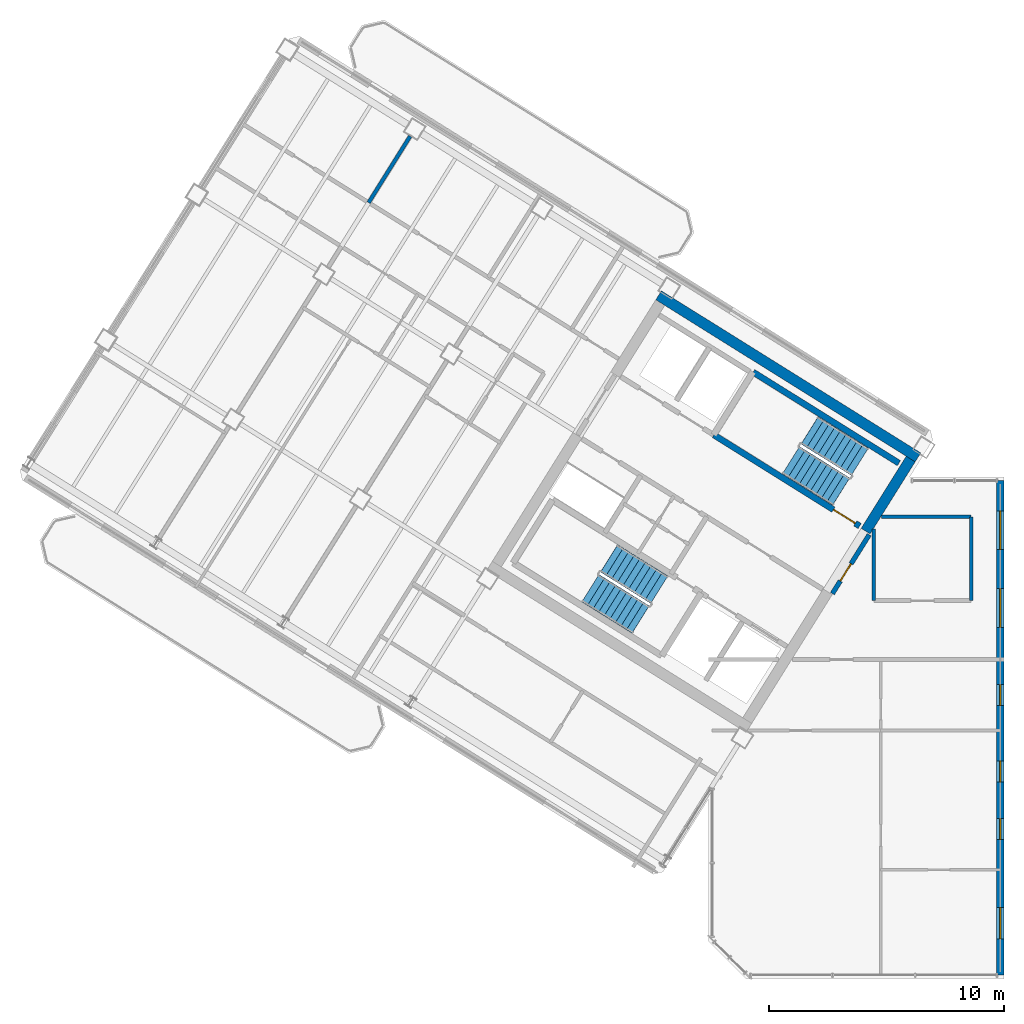
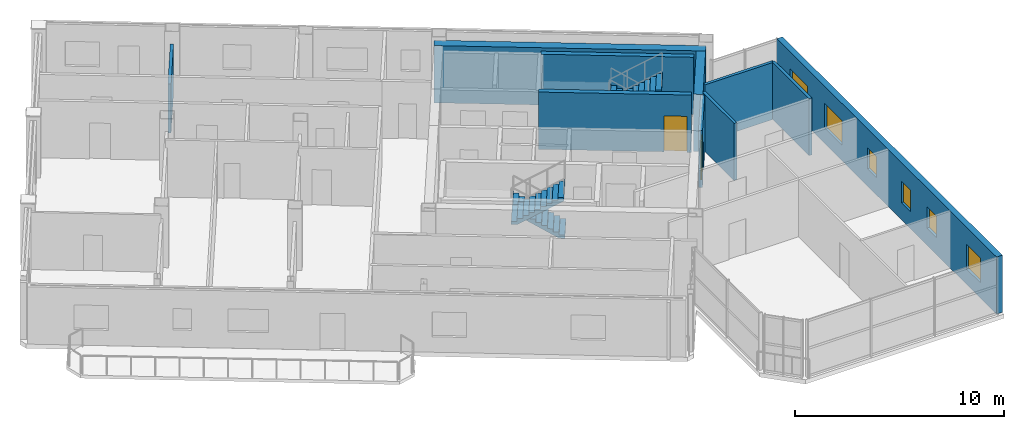
# One storey, part 11 of 17: 10 walls, 6 windows, 4 stair flights, 2 doors, 8 openings, 2 elements without a shape of their own.
"""IFC4 building model written with IfcOpenShell, lengths in metres."""

from ifc_helpers import new_model, si_unit, direction, frame, frame_2d, origin, place, context, subcontext, project, spatial, polyline, rectangle, outline, extrude, source, transform, mapped, material, layer, layer_set, type_object, element, fill, aggregate, save


model = new_model("IFC4")

# Units and contexts
model_context = context("Model", 3, precision=1e-05, world=origin(), true_north=direction((0.0, 1.0)))
body_context = subcontext(model_context, "Body", "Model", "MODEL_VIEW")
ifc_project = project(units=[si_unit("LENGTHUNIT", "METRE"), si_unit("AREAUNIT", "SQUARE_METRE"), si_unit("VOLUMEUNIT", "CUBIC_METRE"), si_unit("PLANEANGLEUNIT", "RADIAN"), si_unit("MASSUNIT", "GRAM", prefix="KILO")], contexts=[model_context])

# Site, building, storey
site_placement = place(None, origin())
site = spatial("IfcSite", under=ifc_project, at=site_placement, CompositionType="ELEMENT")
building_placement = place(site_placement, origin())
building = spatial("IfcBuilding", under=site, at=building_placement, Name="Tlacorven Tower", CompositionType="ELEMENT")
storey_placement = place(building_placement, frame((0.0, 0.0, 277.199951171875)))
storey = spatial("IfcBuildingStorey", under=building, at=storey_placement, Name="L70", CompositionType="ELEMENT", Elevation=277.199951171875)

# Walls
ifc_material_1 = material(Name="Concrete C50/60", Category="concrete")
ifc_layer_1 = layer(ifc_material_1, 0.449951171875)
ifc_layer_set_1 = layer_set([ifc_layer_1], Name="Concrete C50/60")
wall_type_1 = type_object("IfcWallType", Name="WL-COR-450", PredefinedType="SHEAR", material=ifc_layer_set_1)
wall_1_placement = place(storey_placement, frame((40.53076171875, 24.036376953125, 0.0), z_axis=(0.0, 0.0, 1.0), x_axis=(-0.848048787466, 0.529918157905, 0.0)))
element("IfcWall", 1, at=wall_1_placement, inside=storey, type_object=wall_type_1, Name="L70 W core shear wall S1", PredefinedType="SHEAR", context=body_context, shape_type="SweptSolid", body=[
    extrude(rectangle(XDim=13.0400390625, YDim=0.449951171875, at=frame_2d((6.52001953125, 0.0))), origin(), (0.0, 0.0, 1.0), 3.35009765625),
])
wall_2_placement = place(storey_placement, frame((40.220703125, 23.96484375, 0.0), z_axis=(0.0, 0.0, 1.0), x_axis=(-0.529902075036, -0.848058836916, 0.0)))
element("IfcWall", 2, at=wall_2_placement, inside=storey, type_object=wall_type_1, Name="L70 W core end wall E1.1", PredefinedType="SHEAR", context=body_context, shape_type="SweptSolid", body=[
    extrude(rectangle(XDim=3.625, YDim=0.449951171875, at=frame_2d((1.8125, 0.0))), origin(), (0.0, 0.0, 1.0), 3.35009765625),
])
ifc_material_2 = material(Name="Gypsum plasterboard acoustic partition", Category="gypsum")
ifc_layer_2 = layer(ifc_material_2, 0.159912109375)
ifc_layer_set_2 = layer_set([ifc_layer_2], Name="Gypsum plasterboard acoustic partition")
wall_type_2 = type_object("IfcWallType", Name="WL-DEM-160", PredefinedType="PARTITIONING", material=ifc_layer_set_2)
wall_3_placement = place(storey_placement, frame((18.878662109375, 37.72900390625, 0.0), z_axis=(0.0, 0.0, 1.0), x_axis=(-0.529952920244, -0.848027064618, 0.0)))
element("IfcWall", 3, at=wall_3_placement, inside=storey, type_object=wall_type_2, Name="L70 partition 38", PredefinedType="PARTITIONING", context=body_context, shape_type="SweptSolid", body=[
    extrude(rectangle(XDim=3.338134765625, YDim=0.159912109375, at=frame_2d((1.6689453125, 0.0))), origin(), (0.0, 0.0, 1.0), 2.875),
])
wall_4_placement = place(storey_placement, frame((38.64990234375, 17.929931640625, 0.0), z_axis=(0.0, 0.0, 1.0), x_axis=(0.0, 1.0, 0.0)))
element("IfcWall", 4, at=wall_4_placement, inside=storey, type_object=wall_type_2, Name="L70 partition 46", PredefinedType="PARTITIONING", context=body_context, shape_type="SweptSolid", body=[
    extrude(rectangle(XDim=3.045654296875, YDim=0.159912109375, at=frame_2d((1.52294921875, 0.0))), origin(), (0.0, 0.0, 1.0), 3.340087890625),
])
wall_5_placement = place(storey_placement, frame((42.800048828125, 17.929931640625, 0.0), z_axis=(0.0, 0.0, 1.0), x_axis=(0.0, 1.0, 0.0)))
element("IfcWall", 5, at=wall_5_placement, inside=storey, type_object=wall_type_2, Name="L70 partition 47", PredefinedType="PARTITIONING", context=body_context, shape_type="SweptSolid", body=[
    extrude(rectangle(XDim=3.570068359375, YDim=0.159912109375, at=frame_2d((1.78515625, 0.0))), origin(), (0.0, 0.0, 1.0), 3.340087890625),
])
wall_6_placement = place(storey_placement, frame((38.9775390625, 21.5, 0.0), z_axis=(0.0, 0.0, 1.0), x_axis=(1.0, 0.0, 0.0)))
element("IfcWall", 6, at=wall_6_placement, inside=storey, type_object=wall_type_2, Name="L70 partition 48", PredefinedType="PARTITIONING", context=body_context, shape_type="SweptSolid", body=[
    extrude(rectangle(XDim=3.822509765625, YDim=0.159912109375, at=frame_2d((1.9111328125, 0.0))), origin(), (0.0, 0.0, 1.0), 3.340087890625),
])

# Wall, openings, windows
ifc_material_3 = material(Name="Precast concrete C45/55", Category="concrete")
ifc_layer_3 = layer(ifc_material_3, 0.320068359375)
ifc_layer_set_3 = layer_set([ifc_layer_3], Name="Precast concrete C45/55")
wall_type_3 = type_object("IfcWallType", Name="WL-EXT-320", PredefinedType="STANDARD", material=ifc_layer_set_3)
wall_7_placement = place(storey_placement, frame((44.0400390625, 23.0400390625, 0.0), z_axis=(0.0, 0.0, 1.0), x_axis=(0.0, -1.0, 0.0)))
wall_7 = element("IfcWall", 7, at=wall_7_placement, inside=storey, type_object=wall_type_3, Name="L70 Masonry-Frame Recessed Facade Wall 1", PredefinedType="STANDARD", context=body_context, shape_type="SweptSolid", body=[
    extrude(rectangle(XDim=21.080078125, YDim=0.320068359375, at=frame_2d((10.5400390625, 0.0))), origin(), (0.0, 0.0, 1.0), 3.35009765625),
])
opening_1_placement = place(wall_7_placement, frame((1.284912109375, 0.0, 0.89990234375)))
opening_1 = element("IfcOpeningElement", 8, at=opening_1_placement, cuts=wall_7, Name="Opening WN07", PredefinedType="OPENING", context=body_context, shape_type="SweptSolid", body=[
    extrude(rectangle(XDim=1.64990234375, YDim=1.449951171875, at=frame_2d((0.824951171875, 0.72509765625))), frame((0.0, 0.169921875, 0.0), z_axis=(0.0, -1.0, 0.0), x_axis=(1.0, 0.0, 0.0)), (0.0, 0.0, 1.0), 0.340087890625),
])
opening_2_placement = place(wall_7_placement, frame((4.60498046875, 0.0, 0.89990234375)))
opening_2 = element("IfcOpeningElement", 9, at=opening_2_placement, cuts=wall_7, Name="Opening WN07", PredefinedType="OPENING", context=body_context, shape_type="SweptSolid", body=[
    extrude(rectangle(XDim=1.64990234375, YDim=1.449951171875, at=frame_2d((0.824951171875, 0.72509765625))), frame((0.0, 0.169921875, 0.0), z_axis=(0.0, -1.0, 0.0), x_axis=(1.0, 0.0, 0.0)), (0.0, 0.0, 1.0), 0.340087890625),
])
opening_3_placement = place(wall_7_placement, frame((8.68994140625, 0.0, 1.0)))
opening_3 = element("IfcOpeningElement", 10, at=opening_3_placement, cuts=wall_7, Name="Opening WN05", PredefinedType="OPENING", context=body_context, shape_type="SweptSolid", body=[
    extrude(rectangle(XDim=0.89990234375, YDim=1.25, at=frame_2d((0.449951171875, 0.625))), frame((0.0, 0.169921875, 0.0), z_axis=(0.0, -1.0, 0.0), x_axis=(1.0, 0.0, 0.0)), (0.0, 0.0, 1.0), 0.340087890625),
])
opening_4_placement = place(wall_7_placement, frame((11.94873046875, 0.0, 1.0)))
opening_4 = element("IfcOpeningElement", 11, at=opening_4_placement, cuts=wall_7, Name="Opening WN05", PredefinedType="OPENING", context=body_context, shape_type="SweptSolid", body=[
    extrude(rectangle(XDim=0.89990234375, YDim=1.25, at=frame_2d((0.449951171875, 0.625))), frame((0.0, 0.169921875, 0.0), z_axis=(0.0, -1.0, 0.0), x_axis=(1.0, 0.0, 0.0)), (0.0, 0.0, 1.0), 0.340087890625),
])
opening_5_placement = place(wall_7_placement, frame((14.40625, 0.0, 1.0)))
opening_5 = element("IfcOpeningElement", 12, at=opening_5_placement, cuts=wall_7, Name="Opening WN05", PredefinedType="OPENING", context=body_context, shape_type="SweptSolid", body=[
    extrude(rectangle(XDim=0.89990234375, YDim=1.25, at=frame_2d((0.449951171875, 0.625))), frame((0.0, 0.169921875, 0.0), z_axis=(0.0, -1.0, 0.0), x_axis=(1.0, 0.0, 0.0)), (0.0, 0.0, 1.0), 0.340087890625),
])
opening_6_placement = place(wall_7_placement, frame((18.1875, 0.0, 0.89990234375)))
opening_6 = element("IfcOpeningElement", 13, at=opening_6_placement, cuts=wall_7, Name="Opening WN08", PredefinedType="OPENING", context=body_context, shape_type="SweptSolid", body=[
    extrude(rectangle(XDim=1.35009765625, YDim=1.449951171875, at=frame_2d((0.675048828125, 0.72509765625))), frame((0.0, 0.169921875, 0.0), z_axis=(0.0, -1.0, 0.0), x_axis=(1.0, 0.0, 0.0)), (0.0, 0.0, 1.0), 0.340087890625),
])
ifc_material_4 = material(Name="Dark solar low-E double glazing in anodised aluminium frame", Category="aluminium")
window_type_1 = type_object("IfcWindowType", Name="WN-APT-0900X1350", PartitioningType="SINGLE_PANEL", PredefinedType="WINDOW", material=ifc_material_4)
shared_shape_1 = source(origin(), body_context, "Body", "SweptSolid", [
    extrude(rectangle(XDim=0.89990234375, YDim=1.25, at=frame_2d((0.449951171875, 0.625))), frame((0.0, 0.030029296875, 0.0), z_axis=(0.0, -1.0, 0.0), x_axis=(1.0, 0.0, 0.0)), (0.0, 0.0, 1.0), 0.06005859375),
])
window_1_placement = place(opening_3_placement, origin())
window_1 = element("IfcWindow", 14, at=window_1_placement, inside=storey, type_object=window_type_1, Name="L70 Recessed Masonry-Frame Window L70-01.3", OverallHeight=1.25, OverallWidth=0.89990234375, PartitioningType="SINGLE_PANEL", PredefinedType="WINDOW", context=body_context, shape_type="MappedRepresentation", body=[
    mapped(shared_shape_1, transform((0.0, 0.0, 0.0), scale=1.0)),
])
fill(opening_3, window_1)
window_2_placement = place(opening_4_placement, origin())
window_2 = element("IfcWindow", 15, at=window_2_placement, inside=storey, type_object=window_type_1, Name="L70 Recessed Masonry-Frame Window L70-01.4", OverallHeight=1.25, OverallWidth=0.89990234375, PartitioningType="SINGLE_PANEL", PredefinedType="WINDOW", context=body_context, shape_type="MappedRepresentation", body=[
    mapped(shared_shape_1, transform((0.0, 0.0, 0.0), scale=1.0)),
])
fill(opening_4, window_2)
window_3_placement = place(opening_5_placement, origin())
window_3 = element("IfcWindow", 16, at=window_3_placement, inside=storey, type_object=window_type_1, Name="L70 Recessed Masonry-Frame Window L70-01.5", OverallHeight=1.25, OverallWidth=0.89990234375, PartitioningType="SINGLE_PANEL", PredefinedType="WINDOW", context=body_context, shape_type="MappedRepresentation", body=[
    mapped(shared_shape_1, transform((0.0, 0.0, 0.0), scale=1.0)),
])
fill(opening_5, window_3)
window_type_2 = type_object("IfcWindowType", Name="WN-APT-1650X1600", PartitioningType="SINGLE_PANEL", PredefinedType="WINDOW", material=ifc_material_4)
shared_shape_2 = source(origin(), body_context, "Body", "SweptSolid", [
    extrude(rectangle(XDim=1.64990234375, YDim=1.449951171875, at=frame_2d((0.824951171875, 0.72509765625))), frame((0.0, 0.030029296875, 0.0), z_axis=(0.0, -1.0, 0.0), x_axis=(1.0, 0.0, 0.0)), (0.0, 0.0, 1.0), 0.06005859375),
])
window_4_placement = place(opening_1_placement, origin())
window_4 = element("IfcWindow", 17, at=window_4_placement, inside=storey, type_object=window_type_2, Name="L70 Recessed Masonry-Frame Window L70-01.1", OverallHeight=1.449951171875, OverallWidth=1.64990234375, PartitioningType="SINGLE_PANEL", PredefinedType="WINDOW", context=body_context, shape_type="MappedRepresentation", body=[
    mapped(shared_shape_2, transform((0.0, 0.0, 0.0), scale=1.0)),
])
fill(opening_1, window_4)
window_5_placement = place(opening_2_placement, origin())
window_5 = element("IfcWindow", 18, at=window_5_placement, inside=storey, type_object=window_type_2, Name="L70 Recessed Masonry-Frame Window L70-01.2", OverallHeight=1.449951171875, OverallWidth=1.64990234375, PartitioningType="SINGLE_PANEL", PredefinedType="WINDOW", context=body_context, shape_type="MappedRepresentation", body=[
    mapped(shared_shape_2, transform((0.0, 0.0, 0.0), scale=1.0)),
])
fill(opening_2, window_5)
window_type_3 = type_object("IfcWindowType", Name="WN-APT-1350X1550", PartitioningType="SINGLE_PANEL", PredefinedType="WINDOW", material=ifc_material_4)
shared_shape_3 = source(origin(), body_context, "Body", "SweptSolid", [
    extrude(rectangle(XDim=1.35009765625, YDim=1.449951171875, at=frame_2d((0.675048828125, 0.72509765625))), frame((0.0, 0.030029296875, 0.0), z_axis=(0.0, -1.0, 0.0), x_axis=(1.0, 0.0, 0.0)), (0.0, 0.0, 1.0), 0.06005859375),
])
window_6_placement = place(opening_6_placement, origin())
window_6 = element("IfcWindow", 19, at=window_6_placement, inside=storey, type_object=window_type_3, Name="L70 Recessed Masonry-Frame Window L70-01.6", OverallHeight=1.449951171875, OverallWidth=1.35009765625, PartitioningType="SINGLE_PANEL", PredefinedType="WINDOW", context=body_context, shape_type="MappedRepresentation", body=[
    mapped(shared_shape_3, transform((0.0, 0.0, 0.0), scale=1.0)),
])
fill(opening_6, window_6)

# Wall, opening, door
ifc_material_5 = material(Name="Concrete C40/50", Category="concrete")
ifc_layer_4 = layer(ifc_material_5, 0.199951171875)
ifc_layer_set_4 = layer_set([ifc_layer_4], Name="Concrete C40/50")
wall_type_4 = type_object("IfcWallType", Name="WL-SHF-200", PredefinedType="STANDARD", material=ifc_layer_set_4)
wall_8_placement = place(storey_placement, frame((38.451416015625, 20.737060546875, 0.0), z_axis=(0.0, 0.0, 1.0), x_axis=(-0.529924799939, -0.848044637038, 0.0)))
wall_8 = element("IfcWall", 20, at=wall_8_placement, inside=storey, type_object=wall_type_4, Name="L70 partition 43", PredefinedType="STANDARD", context=body_context, shape_type="SweptSolid", body=[
    extrude(rectangle(XDim=2.9599609375, YDim=0.199951171875, at=frame_2d((1.47998046875, 0.0))), origin(), (0.0, 0.0, 1.0), 3.340087890625),
])
opening_7_placement = place(wall_8_placement, frame((1.4599609375, 0.0, 0.0)))
opening_7 = element("IfcOpeningElement", 21, at=opening_7_placement, cuts=wall_8, Name="Opening D19", PredefinedType="OPENING", context=body_context, shape_type="SweptSolid", body=[
    extrude(rectangle(XDim=0.860107421875, YDim=2.050048828125, at=frame_2d((0.43017578125, 1.02490234375))), frame((0.0, 0.10986328125, 0.0), z_axis=(0.0, -1.0, 0.0), x_axis=(1.0, 0.0, 0.0)), (0.0, 0.0, 1.0), 0.219970703125),
])
ifc_material_6 = material(Name="Fire-rated steel door assembly", Category="steel")
door_type_1 = type_object("IfcDoorType", Name="DR-RSR-FD60-0860", OperationType="NOTDEFINED", PredefinedType="DOOR", material=ifc_material_6)
shared_shape_4 = source(origin(), body_context, "Body", "SweptSolid", [
    extrude(rectangle(XDim=0.860107421875, YDim=2.050048828125, at=frame_2d((0.43017578125, 1.02490234375))), frame((0.0, 0.02490234375, 0.0), z_axis=(0.0, -1.0, 0.0), x_axis=(1.0, 0.0, 0.0)), (0.0, 0.0, 1.0), 0.050048828125),
])
door_1_placement = place(opening_7_placement, frame((0.860107421875, 0.0, 0.0), z_axis=(0.0, 0.0, 1.0), x_axis=(-1.0, 0.0, 0.0)))
door_1 = element("IfcDoor", 22, at=door_1_placement, inside=storey, type_object=door_type_1, Name="L70 door 031", OperationType="SINGLE_SWING_LEFT", OverallHeight=2.050048828125, OverallWidth=0.860107421875, PredefinedType="DOOR", context=body_context, shape_type="MappedRepresentation", body=[
    mapped(shared_shape_4, transform((0.0, 0.0, 0.0), scale=1.0)),
])
fill(opening_7, door_1)

# Wall
ifc_layer_5 = layer(ifc_material_1, 0.260009765625)
ifc_layer_set_5 = layer_set([ifc_layer_5], Name="Concrete C50/60")
wall_type_5 = type_object("IfcWallType", Name="WL-STW-260", PredefinedType="SHEAR", material=ifc_layer_set_5)
wall_9_placement = place(storey_placement, frame((39.720947265625, 23.787841796875, 0.0), z_axis=(0.0, 0.0, 1.0), x_axis=(-0.848054434086, 0.529909121291, 0.0)))
element("IfcWall", 23, at=wall_9_placement, inside=storey, type_object=wall_type_5, Name="L70 Stair W2 Far Shear Wall", PredefinedType="SHEAR", context=body_context, shape_type="SweptSolid", body=[
    extrude(rectangle(XDim=7.330078125, YDim=0.260009765625, at=frame_2d((3.6650390625, 0.0))), origin(), (0.0, 0.0, 1.0), 3.35009765625),
])

# Wall, opening, door
wall_10_placement = place(storey_placement, frame((38.04638671875, 21.10791015625, 0.0), z_axis=(0.0, 0.0, 1.0), x_axis=(-0.848054434086, 0.529909121291, 0.0)))
wall_10 = element("IfcWall", 24, at=wall_10_placement, inside=storey, type_object=wall_type_5, Name="L70 Stair W2 Lobby Shear Wall", PredefinedType="SHEAR", context=body_context, shape_type="SweptSolid", body=[
    extrude(rectangle(XDim=7.330078125, YDim=0.260009765625, at=frame_2d((3.6650390625, 0.0))), origin(), (0.0, 0.0, 1.0), 3.35009765625),
])
opening_8_placement = place(wall_10_placement, frame((0.219970703125, 0.0, 0.0)))
opening_8 = element("IfcOpeningElement", 25, at=opening_8_placement, cuts=wall_10, Name="Opening D07", PredefinedType="OPENING", context=body_context, shape_type="SweptSolid", body=[
    extrude(rectangle(XDim=1.10009765625, YDim=2.10009765625, at=frame_2d((0.550048828125, 1.050048828125))), frame((0.0, 0.14013671875, 0.0), z_axis=(0.0, -1.0, 0.0), x_axis=(1.0, 0.0, 0.0)), (0.0, 0.0, 1.0), 0.280029296875),
])
door_type_2 = type_object("IfcDoorType", Name="DR-STR-FD90-1100", OperationType="NOTDEFINED", PredefinedType="DOOR", material=ifc_material_6)
shared_shape_5 = source(origin(), body_context, "Body", "SweptSolid", [
    extrude(rectangle(XDim=1.10009765625, YDim=2.10009765625, at=frame_2d((0.550048828125, 1.050048828125))), frame((0.0, 0.02490234375, 0.0), z_axis=(0.0, -1.0, 0.0), x_axis=(1.0, 0.0, 0.0)), (0.0, 0.0, 1.0), 0.050048828125),
])
door_2_placement = place(opening_8_placement, origin())
door_2 = element("IfcDoor", 26, at=door_2_placement, inside=storey, type_object=door_type_2, Name="L70 Exit Stair W2 Fire Door", OperationType="SINGLE_SWING_LEFT", OverallHeight=2.10009765625, OverallWidth=1.10009765625, PredefinedType="DOOR", context=body_context, shape_type="MappedRepresentation", body=[
    mapped(shared_shape_5, transform((0.0, 0.0, 0.0), scale=1.0)),
])
fill(opening_8, door_2)

# Stair, stair flights
stair_type = type_object("IfcStairType", Name="ST-CORE-DLG", PredefinedType="HALF_TURN_STAIR", material=ifc_material_5)
stair_1_placement = place(storey_placement, origin())
stair_1 = element("IfcStair", 27, at=stair_1_placement, inside=storey, type_object=stair_type, Name="L70 Protected Exit Stair West 1", PredefinedType="HALF_TURN_STAIR")
stair_flight_type = type_object("IfcStairFlightType", Name="SFL-RC-1380", PredefinedType="STRAIGHT", material=ifc_material_5)
shared_shape_6 = source(origin(), body_context, "Body", "SweptSolid", [
    extrude(outline(polyline([(-0.0029296875, -0.0029296875), (-0.0029296875, 0.179931640625), (0.280029296875, 0.179931640625), (0.280029296875, 0.360107421875), (0.56005859375, 0.360107421875), (0.56005859375, 0.5400390625), (0.840087890625, 0.5400390625), (0.840087890625, 0.719970703125), (1.1201171875, 0.719970703125), (1.1201171875, 0.89990234375), (1.39990234375, 0.89990234375), (1.39990234375, 1.080078125), (1.679931640625, 1.080078125), (1.679931640625, 1.260009765625), (1.9599609375, 1.260009765625), (1.9599609375, 1.43994140625), (2.239990234375, 1.43994140625), (2.239990234375, 1.6201171875), (2.52001953125, 1.6201171875), (2.52001953125, 1.800048828125), (2.52294921875, 1.800048828125), (2.52294921875, 1.429931640625), (2.52001953125, 1.429931640625), (0.295654296875, 0.0), (0.295654296875, -0.0029296875), (-0.0029296875, -0.0029296875)])), frame((0.0, 0.68994140625, 0.0), z_axis=(0.0, -1.0, 0.0), x_axis=(1.0, 0.0, 0.0)), (0.0, 0.0, 1.0), 1.3798828125),
])
stair_flight_1_placement = place(storey_placement, frame((29.499755859375, 18.39453125, 0.0), z_axis=(0.0, 0.0, 1.0), x_axis=(-0.848048096156, 0.529919264233, 0.0)))
stair_flight_1 = element("IfcStairFlight", 28, at=stair_flight_1_placement, type_object=stair_flight_type, Name="ST-W1 flight 1", NumberOfRisers=10, NumberOfTreads=9, PredefinedType="STRAIGHT", RiserHeight=0.18, TreadLength=0.28, context=body_context, shape_type="MappedRepresentation", body=[
    mapped(shared_shape_6, transform((0.0, 0.0, 0.0), scale=1.0)),
])
stair_flight_2_placement = place(storey_placement, frame((26.56787109375, 18.4580078125, 1.800048828125), z_axis=(0.0, 0.0, 1.0), x_axis=(0.848048096156, -0.529919264233, 0.0)))
stair_flight_2 = element("IfcStairFlight", 29, at=stair_flight_2_placement, type_object=stair_flight_type, Name="ST-W1 flight 2", NumberOfRisers=10, NumberOfTreads=9, PredefinedType="STRAIGHT", RiserHeight=0.18, TreadLength=0.28, context=body_context, shape_type="MappedRepresentation", body=[
    mapped(shared_shape_6, transform((0.0, 0.0, 0.0), scale=1.0)),
])
aggregate(stair_1, [stair_flight_1, stair_flight_2])

stair_2_placement = place(storey_placement, origin())
stair_2 = element("IfcStair", 30, at=stair_2_placement, inside=storey, type_object=stair_type, Name="L70 Protected Exit Stair West 2", PredefinedType="HALF_TURN_STAIR")
stair_flight_3_placement = place(storey_placement, frame((38.051513671875, 23.852294921875, 0.0), z_axis=(0.0, 0.0, 1.0), x_axis=(-0.848048096156, 0.529919264233, 0.0)))
stair_flight_3 = element("IfcStairFlight", 31, at=stair_flight_3_placement, type_object=stair_flight_type, Name="ST-W2 flight 1", NumberOfRisers=10, NumberOfTreads=9, PredefinedType="STRAIGHT", RiserHeight=0.18, TreadLength=0.28, context=body_context, shape_type="MappedRepresentation", body=[
    mapped(shared_shape_6, transform((0.0, 0.0, 0.0), scale=1.0)),
])
stair_flight_4_placement = place(storey_placement, frame((35.119384765625, 23.91552734375, 1.800048828125), z_axis=(0.0, 0.0, 1.0), x_axis=(0.848048096156, -0.529919264233, 0.0)))
stair_flight_4 = element("IfcStairFlight", 32, at=stair_flight_4_placement, type_object=stair_flight_type, Name="ST-W2 flight 2", NumberOfRisers=10, NumberOfTreads=9, PredefinedType="STRAIGHT", RiserHeight=0.18, TreadLength=0.28, context=body_context, shape_type="MappedRepresentation", body=[
    mapped(shared_shape_6, transform((0.0, 0.0, 0.0), scale=1.0)),
])
aggregate(stair_2, [stair_flight_3, stair_flight_4])

save(model, "model.ifc")
